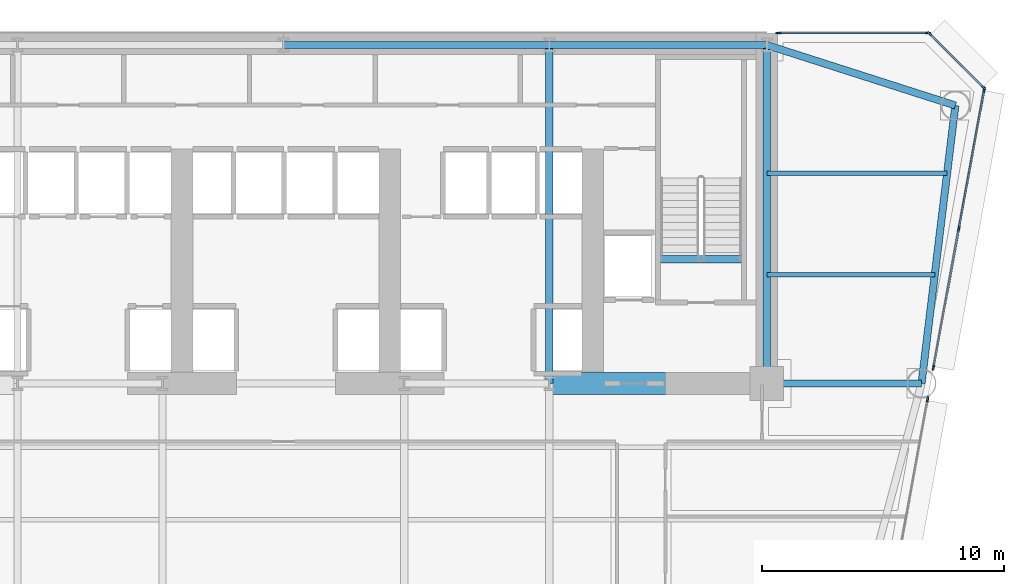
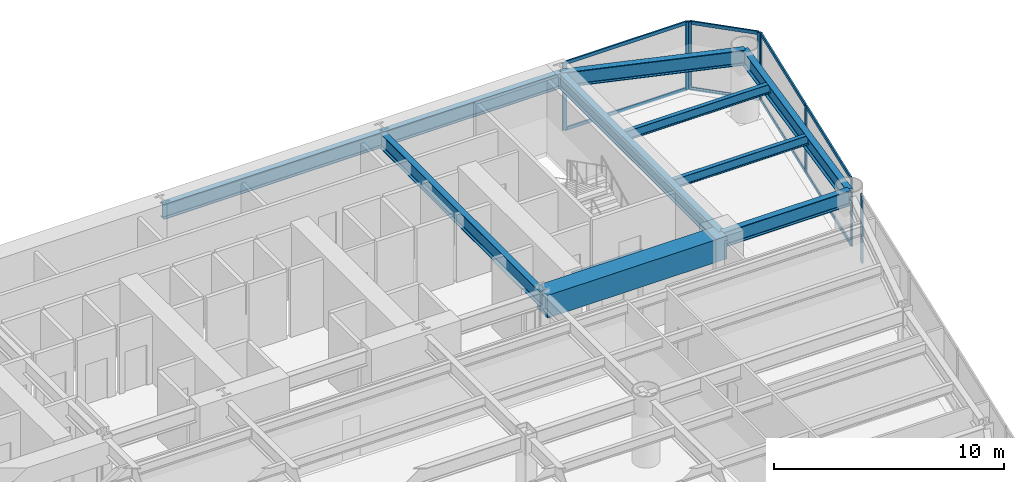
# One storey, part 6 of 14: 16 members, 11 beams, 4 elements without a shape of their own.
"""IFC4 building model written with IfcOpenShell, lengths in metres."""

from ifc_helpers import new_model, si_unit, direction, frame, origin, origin_2d, place, context, subcontext, project, spatial, rectangle, i_section, extrude, source, transform, mapped, material, layer, layer_set, material_profile, profile_set, type_object, element, aggregate, save


model = new_model("IFC4")

# Units and contexts
model_context = context("Model", 3, precision=1e-05, world=origin(), true_north=direction((0.0, 1.0)))
body_context = subcontext(model_context, "Body", "Model", "MODEL_VIEW")
ifc_project = project(units=[si_unit("LENGTHUNIT", "METRE"), si_unit("AREAUNIT", "SQUARE_METRE"), si_unit("VOLUMEUNIT", "CUBIC_METRE"), si_unit("PLANEANGLEUNIT", "RADIAN"), si_unit("MASSUNIT", "GRAM", prefix="KILO")], contexts=[model_context])

# Site, building, storey
site_placement = place(None, origin())
site = spatial("IfcSite", under=ifc_project, at=site_placement, CompositionType="ELEMENT")
building_placement = place(site_placement, origin())
building = spatial("IfcBuilding", under=site, at=building_placement, Name="Vaeldorn Concourse Tower", CompositionType="ELEMENT")
storey_placement = place(building_placement, frame((0.0, 0.0, 64.39990234375)))
storey = spatial("IfcBuildingStorey", under=building, at=storey_placement, Name="L16", CompositionType="ELEMENT", Elevation=64.39990234375)

# Beams
ifc_material_1 = material(Name="Concrete C60/75", Category="concrete")
ifc_material_profile_1 = material_profile(ifc_material_1, rectangle(XDim=0.89990234375, YDim=1.199951171875, at=origin_2d()), Name="RC 900x1200")
ifc_profile_set_1 = profile_set([ifc_material_profile_1], Name="Concrete C60/75")
beam_type_1 = type_object("IfcBeamType", Name="BM-CB-RC900", PredefinedType="BEAM", material=ifc_profile_set_1)
shared_shape_1 = source(origin(), body_context, "Body", "SweptSolid", [
    extrude(rectangle(XDim=0.89990234375, YDim=1.199951171875, at=origin_2d()), origin(), (0.0, 0.0, 1.0), 9.0),
])
beam_1_placement = place(storey_placement, frame((45.0, 36.5, 2.97998046875), z_axis=(1.0, 0.0, 0.0), x_axis=(0.0, 1.0, 0.0)))
element("IfcBeam", 1, at=beam_1_placement, inside=storey, type_object=beam_type_1, Name="Core Coupling Beam L16-2", PredefinedType="BEAM", context=body_context, shape_type="MappedRepresentation", body=[
    mapped(shared_shape_1, transform((0.0, 0.0, 0.0), scale=1.0)),
])
ifc_material_2 = material(Name="Steel S355", Category="steel")
ifc_material_profile_2 = material_profile(ifc_material_2, i_section(OverallWidth=0.300048828125, OverallDepth=0.340087890625, WebThickness=0.011962890625, FlangeThickness=0.021484375, FilletRadius=0.027099609375, at=origin_2d()), Name="HEB 340")
ifc_profile_set_2 = profile_set([ifc_material_profile_2], Name="Steel S355")
beam_type_2 = type_object("IfcBeamType", Name="BM-ST-TRIM", PredefinedType="BEAM", material=ifc_profile_set_2)
shared_shape_2 = source(origin(), body_context, "Body", "SweptSolid", [
    extrude(i_section(OverallWidth=0.300048828125, OverallDepth=0.340087890625, WebThickness=0.011962890625, FlangeThickness=0.021484375, FilletRadius=0.027099609375, at=origin_2d()), origin(), (0.0, 0.0, 1.0), 3.590087890625),
])
beam_2_placement = place(storey_placement, frame((49.47998046875, 41.639892578125, -0.389892578125), z_axis=(1.0, 0.0, 0.0), x_axis=(0.0, 1.0, 0.0)))
element("IfcBeam", 2, at=beam_2_placement, inside=storey, type_object=beam_type_2, Name="Stair Landing Trimmer Beam ST-2 L16", PredefinedType="BEAM", context=body_context, shape_type="MappedRepresentation", body=[
    mapped(shared_shape_2, transform((0.0, 0.0, 0.0), scale=1.0)),
])
ifc_material_profile_3 = material_profile(ifc_material_2, i_section(OverallWidth=0.300048828125, OverallDepth=0.800048828125, WebThickness=0.017578125, FlangeThickness=0.032958984375, FilletRadius=0.030029296875, at=origin_2d()), Name="HEB 800")
ifc_profile_set_3 = profile_set([ifc_material_profile_3], Name="Steel S355")
beam_type_3 = type_object("IfcBeamType", Name="BM-PG-HEB800", PredefinedType="BEAM", material=ifc_profile_set_3)
shared_shape_3 = source(origin(), body_context, "Body", "SweptSolid", [
    extrude(i_section(OverallWidth=0.300048828125, OverallDepth=0.800048828125, WebThickness=0.017578125, FlangeThickness=0.032958984375, FilletRadius=0.030029296875, at=origin_2d()), origin(), (0.0, 0.0, 1.0), 9.0),
])
beam_3_placement = place(storey_placement, frame((45.0, 50.5, 3.18017578125), z_axis=(1.0, 0.0, 0.0), x_axis=(0.0, 1.0, 0.0)))
element("IfcBeam", 3, at=beam_3_placement, inside=storey, type_object=beam_type_3, Name="Beam BM-L16-C-HC4-C-HC5", PredefinedType="BEAM", context=body_context, shape_type="MappedRepresentation", body=[
    mapped(shared_shape_3, transform((0.0, 0.0, 0.0), scale=1.0)),
])
shared_shape_4 = source(origin(), body_context, "Body", "SweptSolid", [
    extrude(i_section(OverallWidth=0.300048828125, OverallDepth=0.800048828125, WebThickness=0.017578125, FlangeThickness=0.032958984375, FilletRadius=0.030029296875, at=origin_2d()), origin(), (0.0, 0.0, 1.0), 11.0),
])
beam_4_placement = place(storey_placement, frame((34.0, 50.5, 3.18017578125), z_axis=(1.0, 0.0, 0.0), x_axis=(0.0, 1.0, 0.0)))
element("IfcBeam", 4, at=beam_4_placement, inside=storey, type_object=beam_type_3, Name="Beam BM-L16-C-HC3-C-HC4", PredefinedType="BEAM", context=body_context, shape_type="MappedRepresentation", body=[
    mapped(shared_shape_4, transform((0.0, 0.0, 0.0), scale=1.0)),
])
shared_shape_5 = source(origin(), body_context, "Body", "SweptSolid", [
    extrude(i_section(OverallWidth=0.300048828125, OverallDepth=0.800048828125, WebThickness=0.017578125, FlangeThickness=0.032958984375, FilletRadius=0.030029296875, at=origin_2d()), origin(), (0.0, 0.0, 1.0), 14.0),
])
for number, where, z_axis, x_axis, name in (
    (5, (45.0, 36.5, 3.18017578125), (0.0, 1.0, 0.0), (-1.0, 0.0, 0.0), "Beam BM-L16-C-FC5-C-HC4"),
    (6, (54.0, 36.5, 3.18017578125), (0.0, 1.0, 0.0), (-1.0, 0.0, 0.0), "Beam BM-L16-C-FC6-C-HC5"),
):
    element("IfcBeam", number, at=place(storey_placement, frame(where, z_axis=z_axis, x_axis=x_axis)), inside=storey, type_object=beam_type_3, Name=name, PredefinedType="BEAM", context=body_context, shape_type="MappedRepresentation", body=[
        mapped(shared_shape_5, transform((0.0, 0.0, 0.0), scale=1.0)),
    ])
shared_shape_6 = source(origin(), body_context, "Body", "SweptSolid", [
    extrude(i_section(OverallWidth=0.300048828125, OverallDepth=0.800048828125, WebThickness=0.017578125, FlangeThickness=0.032958984375, FilletRadius=0.030029296875, at=origin_2d()), origin(), (0.0, 0.0, 1.0), 8.19091796875),
])
beam_5_placement = place(storey_placement, frame((54.0, 50.5, 3.18017578125), z_axis=(0.952282843383, -0.305216949396, 0.0), x_axis=(0.305216949396, 0.952282843383, 0.0)))
element("IfcBeam", 7, at=beam_5_placement, inside=storey, type_object=beam_type_3, Name="Beam BM-L16-C-HC5-C-NE1", PredefinedType="BEAM", context=body_context, shape_type="MappedRepresentation", body=[
    mapped(shared_shape_6, transform((0.0, 0.0, 0.0), scale=1.0)),
])
shared_shape_7 = source(origin(), body_context, "Body", "SweptSolid", [
    extrude(i_section(OverallWidth=0.300048828125, OverallDepth=0.800048828125, WebThickness=0.017578125, FlangeThickness=0.032958984375, FilletRadius=0.030029296875, at=origin_2d()), origin(), (0.0, 0.0, 1.0), 11.5849609375),
])
beam_6_placement = place(storey_placement, frame((61.800048828125, 48.0, 3.18017578125), z_axis=(-0.120859382899, -0.992669637677, 0.0), x_axis=(0.992669637677, -0.120859382899, 0.0)))
element("IfcBeam", 8, at=beam_6_placement, inside=storey, type_object=beam_type_3, Name="Beam BM-L16-C-NE1-C-NE2", PredefinedType="BEAM", context=body_context, shape_type="MappedRepresentation", body=[
    mapped(shared_shape_7, transform((0.0, 0.0, 0.0), scale=1.0)),
])
shared_shape_8 = source(origin(), body_context, "Body", "SweptSolid", [
    extrude(i_section(OverallWidth=0.300048828125, OverallDepth=0.800048828125, WebThickness=0.017578125, FlangeThickness=0.032958984375, FilletRadius=0.030029296875, at=origin_2d()), origin(), (0.0, 0.0, 1.0), 6.39990234375),
])
beam_7_placement = place(storey_placement, frame((54.0, 36.5, 3.18017578125), z_axis=(1.0, 0.0, 0.0), x_axis=(0.0, 1.0, 0.0)))
element("IfcBeam", 9, at=beam_7_placement, inside=storey, type_object=beam_type_3, Name="Beam BM-L16-C-FC6-C-NE2", PredefinedType="BEAM", context=body_context, shape_type="MappedRepresentation", body=[
    mapped(shared_shape_8, transform((0.0, 0.0, 0.0), scale=1.0)),
])
ifc_material_profile_4 = material_profile(ifc_material_2, i_section(OverallWidth=0.199951171875, OverallDepth=0.5, WebThickness=0.01025390625, FlangeThickness=0.01611328125, FilletRadius=0.02099609375, at=origin_2d()), Name="IPE 500")
ifc_profile_set_4 = profile_set([ifc_material_profile_4], Name="Steel S355")
beam_type_4 = type_object("IfcBeamType", Name="BM-JS-IPE500", PredefinedType="JOIST", material=ifc_profile_set_4)
shared_shape_9 = source(origin(), body_context, "Body", "SweptSolid", [
    extrude(i_section(OverallWidth=0.199951171875, OverallDepth=0.5, WebThickness=0.01025390625, FlangeThickness=0.01611328125, FilletRadius=0.02099609375, at=origin_2d()), origin(), (0.0, 0.0, 1.0), 6.94775390625),
])
beam_8_placement = place(storey_placement, frame((54.0, 41.0, 3.330078125), z_axis=(1.0, 0.0, 0.0), x_axis=(0.0, 1.0, 0.0)))
element("IfcBeam", 10, at=beam_8_placement, inside=storey, type_object=beam_type_4, Name="Beam JS-L16-NE-410", PredefinedType="JOIST", context=body_context, shape_type="MappedRepresentation", body=[
    mapped(shared_shape_9, transform((0.0, 0.0, 0.0), scale=1.0)),
])
shared_shape_10 = source(origin(), body_context, "Body", "SweptSolid", [
    extrude(i_section(OverallWidth=0.199951171875, OverallDepth=0.5, WebThickness=0.01025390625, FlangeThickness=0.01611328125, FilletRadius=0.02099609375, at=origin_2d()), origin(), (0.0, 0.0, 1.0), 7.458984375),
])
beam_9_placement = place(storey_placement, frame((54.0, 45.199951171875, 3.330078125), z_axis=(1.0, 0.0, 0.0), x_axis=(0.0, 1.0, 0.0)))
element("IfcBeam", 11, at=beam_9_placement, inside=storey, type_object=beam_type_4, Name="Beam JS-L16-NE-452", PredefinedType="JOIST", context=body_context, shape_type="MappedRepresentation", body=[
    mapped(shared_shape_10, transform((0.0, 0.0, 0.0), scale=1.0)),
])

# Curtain wall, members
ifc_material_3 = material(Name="Anodised Bronze Aluminium", Category="aluminium")
ifc_layer = layer(ifc_material_3, 0.219970703125)
ifc_layer_set = layer_set([ifc_layer], Name="Anodised Bronze Aluminium")
curtain_wall_type = type_object("IfcCurtainWallType", Name="CW-SYS-01", PredefinedType="NOTDEFINED", material=ifc_layer_set)
curtain_wall_1_placement = place(storey_placement, origin())
curtain_wall_1 = element("IfcCurtainWall", 12, at=curtain_wall_1_placement, inside=storey, type_object=curtain_wall_type, Name="Unitised Curtain Wall CW-L16-E08-1", PredefinedType="NOTDEFINED")
ifc_material_profile_5 = material_profile(ifc_material_3, rectangle(XDim=0.074951171875, YDim=0.179931640625, at=origin_2d()), Name="CWT 75x180")
ifc_profile_set_5 = profile_set([ifc_material_profile_5], Name="Anodised Bronze Aluminium")
member_type_1 = type_object("IfcMemberType", Name="CWT-BRONZE-180", PredefinedType="USERDEFINED", material=ifc_profile_set_5)
shared_shape_11 = source(origin(), body_context, "Body", "SweptSolid", [
    extrude(rectangle(XDim=0.074951171875, YDim=0.179931640625, at=origin_2d()), origin(), (0.0, 0.0, 1.0), 3.10302734375),
])
member_1_placement = place(storey_placement, frame((62.947021484375, 48.7529296875, 0.03759765625), z_axis=(-0.707106781187, 0.707106781187, 0.0), x_axis=(-0.707106781187, -0.707106781187, 0.0)))
member_1 = element("IfcMember", 13, at=member_1_placement, type_object=member_type_1, Name="CW-01 transom 1.1", ObjectType="TRANSOM", PredefinedType="USERDEFINED", context=body_context, shape_type="MappedRepresentation", body=[
    mapped(shared_shape_11, transform((0.0, 0.0, 0.0), scale=1.0)),
])
member_2_placement = place(storey_placement, frame((62.947021484375, 48.7529296875, 3.54248046875), z_axis=(-0.707106781187, 0.707106781187, 0.0), x_axis=(-0.707106781187, -0.707106781187, 0.0)))
member_2 = element("IfcMember", 14, at=member_2_placement, type_object=member_type_1, Name="CW-01 transom 1.2", ObjectType="TRANSOM", PredefinedType="USERDEFINED", context=body_context, shape_type="MappedRepresentation", body=[
    mapped(shared_shape_11, transform((0.0, 0.0, 0.0), scale=1.0)),
])

curtain_wall_2_placement = place(storey_placement, origin())
curtain_wall_2 = element("IfcCurtainWall", 15, at=curtain_wall_2_placement, inside=storey, type_object=curtain_wall_type, Name="Unitised Curtain Wall CW-L16-E09-1", PredefinedType="NOTDEFINED")
shared_shape_12 = source(origin(), body_context, "Body", "SweptSolid", [
    extrude(rectangle(XDim=0.074951171875, YDim=0.179931640625, at=origin_2d()), origin(), (0.0, 0.0, 1.0), 6.10498046875),
])
member_3_placement = place(storey_placement, frame((60.625, 51.0, 0.03759765625), z_axis=(-1.0, 0.0, 0.0), x_axis=(0.0, -1.0, 0.0)))
member_3 = element("IfcMember", 16, at=member_3_placement, type_object=member_type_1, Name="CW-01 transom 1.1", ObjectType="TRANSOM", PredefinedType="USERDEFINED", context=body_context, shape_type="MappedRepresentation", body=[
    mapped(shared_shape_12, transform((0.0, 0.0, 0.0), scale=1.0)),
])
member_4_placement = place(storey_placement, frame((60.625, 51.0, 3.54248046875), z_axis=(-1.0, 0.0, 0.0), x_axis=(0.0, -1.0, 0.0)))
member_4 = element("IfcMember", 17, at=member_4_placement, type_object=member_type_1, Name="CW-01 transom 1.2", ObjectType="TRANSOM", PredefinedType="USERDEFINED", context=body_context, shape_type="MappedRepresentation", body=[
    mapped(shared_shape_12, transform((0.0, 0.0, 0.0), scale=1.0)),
])

# Curtain wall, member
curtain_wall_3_placement = place(storey_placement, origin())
curtain_wall_3 = element("IfcCurtainWall", 18, at=curtain_wall_3_placement, inside=storey, type_object=curtain_wall_type, Name="Unitised Curtain Wall CW-L16-E07-1", PredefinedType="NOTDEFINED")
ifc_material_profile_6 = material_profile(ifc_material_3, rectangle(XDim=0.074951171875, YDim=0.219970703125, at=origin_2d()), Name="CWM 75x220")
ifc_profile_set_6 = profile_set([ifc_material_profile_6], Name="Anodised Bronze Aluminium")
member_type_2 = type_object("IfcMemberType", Name="CWM-BRONZE-220", PredefinedType="MULLION", material=ifc_profile_set_6)
shared_shape_13 = source(origin(), body_context, "Body", "SweptSolid", [
    extrude(rectangle(XDim=0.074951171875, YDim=0.219970703125, at=origin_2d()), origin(), (0.0, 0.0, 1.0), 3.580078125),
])
member_5_placement = place(storey_placement, frame((60.654541015625, 35.843505859375, 0.0), z_axis=(0.0, 0.0, 1.0), x_axis=(-0.983762772007, 0.179473698387, 0.0)))
member_5 = element("IfcMember", 19, at=member_5_placement, type_object=member_type_2, Name="CW-01 mullion 6", PredefinedType="MULLION", context=body_context, shape_type="MappedRepresentation", body=[
    mapped(shared_shape_13, transform((0.0, 0.0, 0.0), scale=1.0)),
])
aggregate(curtain_wall_3, [member_5])

# Curtain wall, members
curtain_wall_4_placement = place(storey_placement, origin())
curtain_wall_4 = element("IfcCurtainWall", 20, at=curtain_wall_4_placement, inside=storey, type_object=curtain_wall_type, Name="Unitised Curtain Wall CW-L16-E07-2", PredefinedType="NOTDEFINED")
member_6_placement = place(storey_placement, frame((60.89404296875, 37.156494140625, 0.0), z_axis=(0.0, 0.0, 1.0), x_axis=(-0.983762765235, 0.179473735508, 0.0)))
member_6 = element("IfcMember", 21, at=member_6_placement, type_object=member_type_2, Name="CW-01 mullion 1", PredefinedType="MULLION", context=body_context, shape_type="MappedRepresentation", body=[
    mapped(shared_shape_13, transform((0.0, 0.0, 0.0), scale=1.0)),
])
member_7_placement = place(storey_placement, frame((61.943603515625, 42.90966796875, 0.0), z_axis=(0.0, 0.0, 1.0), x_axis=(-0.983762765235, 0.179473735508, 0.0)))
member_7 = element("IfcMember", 22, at=member_7_placement, type_object=member_type_2, Name="CW-01 mullion 2", PredefinedType="MULLION", context=body_context, shape_type="MappedRepresentation", body=[
    mapped(shared_shape_13, transform((0.0, 0.0, 0.0), scale=1.0)),
])
member_8_placement = place(storey_placement, frame((62.9931640625, 48.6630859375, 0.0), z_axis=(0.0, 0.0, 1.0), x_axis=(-0.983762765235, 0.179473735508, 0.0)))
member_8 = element("IfcMember", 23, at=member_8_placement, type_object=member_type_2, Name="CW-01 mullion 3", PredefinedType="MULLION", context=body_context, shape_type="MappedRepresentation", body=[
    mapped(shared_shape_13, transform((0.0, 0.0, 0.0), scale=1.0)),
])

# Member
member_9_placement = place(storey_placement, frame((62.973388671875, 48.7265625, 0.0), z_axis=(0.0, 0.0, 1.0), x_axis=(-0.707106781187, -0.707106781187, 0.0)))
member_9 = element("IfcMember", 24, at=member_9_placement, type_object=member_type_2, Name="CW-01 mullion 1", PredefinedType="MULLION", context=body_context, shape_type="MappedRepresentation", body=[
    mapped(shared_shape_13, transform((0.0, 0.0, 0.0), scale=1.0)),
])

member_10_placement = place(storey_placement, frame((60.7265625, 50.973388671875, 0.0), z_axis=(0.0, 0.0, 1.0), x_axis=(-0.707106781187, -0.707106781187, 0.0)))
member_10 = element("IfcMember", 25, at=member_10_placement, type_object=member_type_2, Name="CW-01 mullion 2", PredefinedType="MULLION", context=body_context, shape_type="MappedRepresentation", body=[
    mapped(shared_shape_13, transform((0.0, 0.0, 0.0), scale=1.0)),
])

aggregate(curtain_wall_1, [member_9, member_10, member_1, member_2])

member_11_placement = place(storey_placement, frame((60.66259765625, 51.0, 0.0), z_axis=(0.0, 0.0, 1.0), x_axis=(0.0, -1.0, 0.0)))
member_11 = element("IfcMember", 26, at=member_11_placement, type_object=member_type_2, Name="CW-01 mullion 1", PredefinedType="MULLION", context=body_context, shape_type="MappedRepresentation", body=[
    mapped(shared_shape_13, transform((0.0, 0.0, 0.0), scale=1.0)),
])

member_12_placement = place(storey_placement, frame((54.482421875, 51.0, 0.0), z_axis=(0.0, 0.0, 1.0), x_axis=(0.0, -1.0, 0.0)))
member_12 = element("IfcMember", 27, at=member_12_placement, type_object=member_type_2, Name="CW-01 mullion 2", PredefinedType="MULLION", context=body_context, shape_type="MappedRepresentation", body=[
    mapped(shared_shape_13, transform((0.0, 0.0, 0.0), scale=1.0)),
])

aggregate(curtain_wall_2, [member_11, member_12, member_3, member_4])

shared_shape_14 = source(origin(), body_context, "Body", "SweptSolid", [
    extrude(rectangle(XDim=0.074951171875, YDim=0.179931640625, at=origin_2d()), origin(), (0.0, 0.0, 1.0), 5.773193359375),
])
member_13_placement = place(storey_placement, frame((60.90087890625, 37.193359375, 0.03759765625), z_axis=(0.179473388818, 0.983762828484, 0.0), x_axis=(-0.983762828484, 0.179473388818, 0.0)))
member_13 = element("IfcMember", 28, at=member_13_placement, type_object=member_type_1, Name="CW-01 transom 1.1", ObjectType="TRANSOM", PredefinedType="USERDEFINED", context=body_context, shape_type="MappedRepresentation", body=[
    mapped(shared_shape_14, transform((0.0, 0.0, 0.0), scale=1.0)),
])

member_14_placement = place(storey_placement, frame((60.90087890625, 37.193359375, 3.54248046875), z_axis=(0.179473388818, 0.983762828484, 0.0), x_axis=(-0.983762828484, 0.179473388818, 0.0)))
member_14 = element("IfcMember", 29, at=member_14_placement, type_object=member_type_1, Name="CW-01 transom 1.2", ObjectType="TRANSOM", PredefinedType="USERDEFINED", context=body_context, shape_type="MappedRepresentation", body=[
    mapped(shared_shape_14, transform((0.0, 0.0, 0.0), scale=1.0)),
])

shared_shape_15 = source(origin(), body_context, "Body", "SweptSolid", [
    extrude(rectangle(XDim=0.074951171875, YDim=0.179931640625, at=origin_2d()), origin(), (0.0, 0.0, 1.0), 5.7734375),
])
member_15_placement = place(storey_placement, frame((61.950439453125, 42.946533203125, 0.03759765625), z_axis=(0.179465922657, 0.983764190548, 0.0), x_axis=(-0.983764190548, 0.179465922657, 0.0)))
member_15 = element("IfcMember", 30, at=member_15_placement, type_object=member_type_1, Name="CW-01 transom 2.1", ObjectType="TRANSOM", PredefinedType="USERDEFINED", context=body_context, shape_type="MappedRepresentation", body=[
    mapped(shared_shape_15, transform((0.0, 0.0, 0.0), scale=1.0)),
])

member_16_placement = place(storey_placement, frame((61.950439453125, 42.946533203125, 3.54248046875), z_axis=(0.179465922657, 0.983764190548, 0.0), x_axis=(-0.983764190548, 0.179465922657, 0.0)))
member_16 = element("IfcMember", 31, at=member_16_placement, type_object=member_type_1, Name="CW-01 transom 2.2", ObjectType="TRANSOM", PredefinedType="USERDEFINED", context=body_context, shape_type="MappedRepresentation", body=[
    mapped(shared_shape_15, transform((0.0, 0.0, 0.0), scale=1.0)),
])

aggregate(curtain_wall_4, [member_6, member_7, member_8, member_13, member_14, member_15, member_16])

save(model, "model.ifc")
